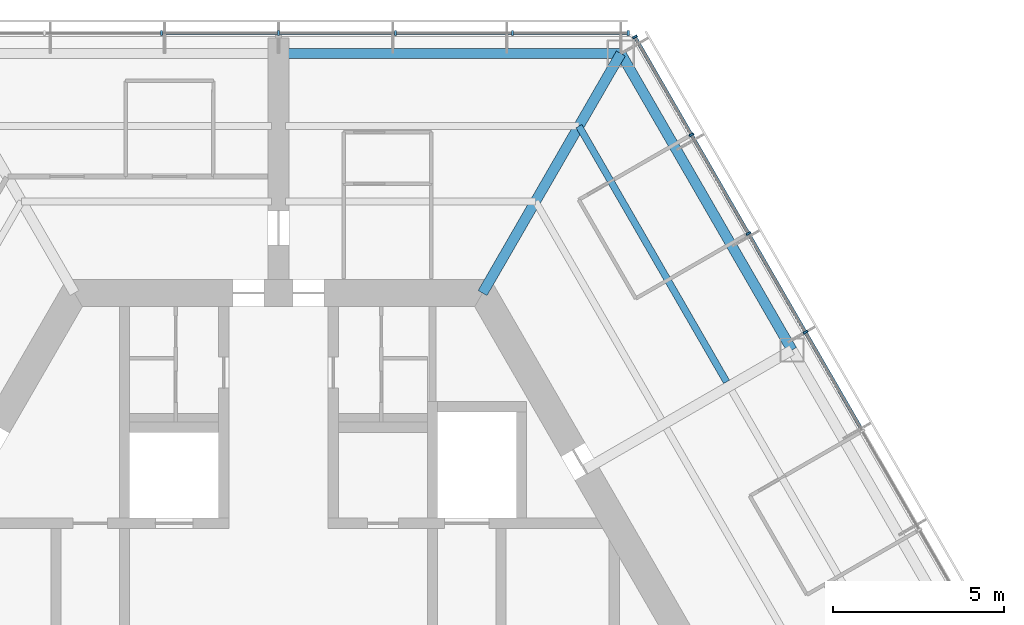
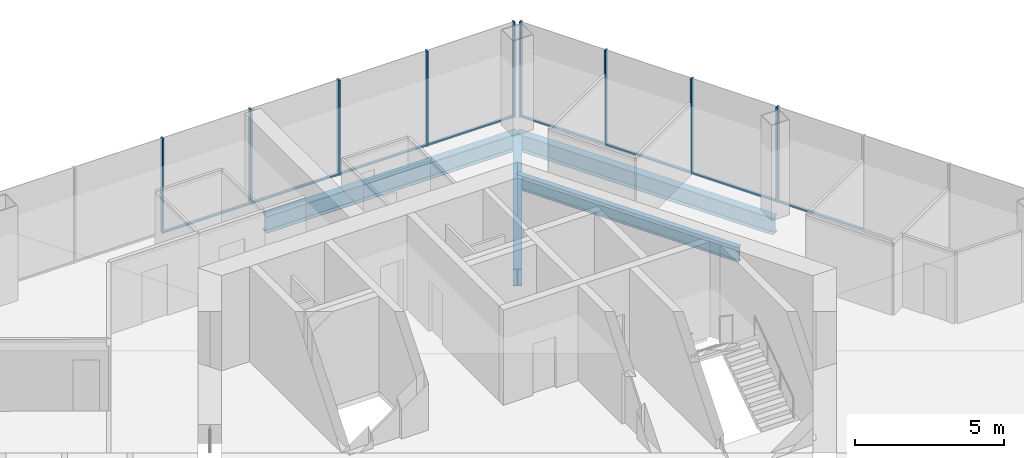
# One storey, part 7 of 16: 17 members, 4 beams, 2 elements without a shape of their own.
"""IFC4 building model written with IfcOpenShell, lengths in metres."""

from ifc_helpers import new_model, si_unit, direction, frame, origin, origin_2d, place, context, subcontext, project, spatial, rectangle, i_section, extrude, material, material_profile, profile_set, type_object, element, aggregate, save


model = new_model("IFC4")

# Units and contexts
model_context = context("Model", 3, precision=1e-05, world=origin(), true_north=direction((0.0, 1.0)))
body_context = subcontext(model_context, "Body", "Model", "MODEL_VIEW")
ifc_project = project(units=[si_unit("LENGTHUNIT", "METRE"), si_unit("AREAUNIT", "SQUARE_METRE"), si_unit("VOLUMEUNIT", "CUBIC_METRE"), si_unit("PLANEANGLEUNIT", "RADIAN"), si_unit("MASSUNIT", "GRAM", prefix="KILO")], contexts=[model_context])

# Site, building, storey
site_placement = place(None, origin())
site = spatial("IfcSite", under=ifc_project, at=site_placement, CompositionType="ELEMENT")
building_placement = place(site_placement, origin())
building = spatial("IfcBuilding", under=site, at=building_placement, Name="Kasaneha Research Tower", CompositionType="ELEMENT")
storey_placement = place(building_placement, frame((0.0, 0.0, 247.89990234375)))
storey = spatial("IfcBuildingStorey", under=building, at=storey_placement, Name="L62", CompositionType="ELEMENT", Elevation=247.89990234375)

# Beam
ifc_material_1 = material(Name="Steel SN490B", Category="steel")
ifc_material_profile_1 = material_profile(ifc_material_1, i_section(OverallWidth=0.199951171875, OverallDepth=0.60009765625, WebThickness=0.010986328125, FlangeThickness=0.01708984375, FilletRadius=0.012939453125, at=origin_2d()), Name="H-600x200x11x17")
ifc_profile_set_1 = profile_set([ifc_material_profile_1], Name="Steel SN490B")
beam_type_1 = type_object("IfcBeamType", Name="B1-3 secondary beam H-600x200x11x17", PredefinedType="JOIST", material=ifc_profile_set_1)
beam_1_placement = place(storey_placement, frame((8.775634765625, 15.199951171875, -0.449951171875), z_axis=(0.500017275495, -0.866015429543, 0.0), x_axis=(0.866015429543, 0.500017275495, 0.0)))
element("IfcBeam", 1, at=beam_1_placement, inside=storey, type_object=beam_type_1, Name="Secondary beam RS030R2 L62", PredefinedType="JOIST", context=body_context, shape_type="SweptSolid", body=[
    extrude(i_section(OverallWidth=0.199951171875, OverallDepth=0.60009765625, WebThickness=0.010986328125, FlangeThickness=0.01708984375, FilletRadius=0.012939453125, at=origin_2d()), origin(), (0.0, 0.0, 1.0), 8.625732421875),
])

# Curtain wall, members
ifc_material_2 = material(Name="Glass and aluminium", Category="aluminium")
curtain_wall_type = type_object("IfcCurtainWallType", Name="High-rise office curtain wall", PredefinedType="USERDEFINED", material=ifc_material_2)
curtain_wall_1_placement = place(storey_placement, origin())
curtain_wall_1 = element("IfcCurtainWall", 2, at=curtain_wall_1_placement, inside=storey, type_object=curtain_wall_type, Name="CW-O3 L62 run 01a", ObjectType="UNITISED CURTAIN WALL", PredefinedType="USERDEFINED")
ifc_material_3 = material(Name="Aluminium 6063-T6", Category="aluminium")
ifc_material_profile_2 = material_profile(ifc_material_3, rectangle(XDim=0.06005859375, YDim=0.139892578125, at=origin_2d()), Name="CW-O3 mullion 60x140")
ifc_profile_set_2 = profile_set([ifc_material_profile_2], Name="Aluminium 6063-T6")
member_type_1 = type_object("IfcMemberType", Name="CW-O3 mullion", PredefinedType="MULLION", material=ifc_profile_set_2)
member_1_placement = place(storey_placement, frame((15.392822265625, 9.179931640625, 0.0), z_axis=(0.0, 0.0, 1.0), x_axis=(-0.499999979232, 0.866025415775, 0.0)))
member_1 = element("IfcMember", 3, at=member_1_placement, type_object=member_type_1, Name="CW-O3 mullion 4", PredefinedType="MULLION", context=body_context, shape_type="SweptSolid", body=[
    extrude(rectangle(XDim=0.06005859375, YDim=0.139892578125, at=origin_2d()), origin(), (0.0, 0.0, 1.0), 3.900146484375),
])
member_2_placement = place(storey_placement, frame((13.727294921875, 12.064453125, 0.0), z_axis=(0.0, 0.0, 1.0), x_axis=(-0.499999979232, 0.866025415775, 0.0)))
member_2 = element("IfcMember", 4, at=member_2_placement, type_object=member_type_1, Name="CW-O3 mullion 5", PredefinedType="MULLION", context=body_context, shape_type="SweptSolid", body=[
    extrude(rectangle(XDim=0.06005859375, YDim=0.139892578125, at=origin_2d()), origin(), (0.0, 0.0, 1.0), 3.900146484375),
])
member_3_placement = place(storey_placement, frame((12.061767578125, 14.94921875, 0.0), z_axis=(0.0, 0.0, 1.0), x_axis=(-0.499999979232, 0.866025415775, 0.0)))
member_3 = element("IfcMember", 5, at=member_3_placement, type_object=member_type_1, Name="CW-O3 mullion 6", PredefinedType="MULLION", context=body_context, shape_type="SweptSolid", body=[
    extrude(rectangle(XDim=0.06005859375, YDim=0.139892578125, at=origin_2d()), origin(), (0.0, 0.0, 1.0), 3.900146484375),
])
member_4_placement = place(storey_placement, frame((10.411376953125, 17.807861328125, 0.0), z_axis=(0.0, 0.0, 1.0), x_axis=(-0.499999979232, 0.866025415775, 0.0)))
member_4 = element("IfcMember", 6, at=member_4_placement, type_object=member_type_1, Name="CW-O3 mullion 7", PredefinedType="MULLION", context=body_context, shape_type="SweptSolid", body=[
    extrude(rectangle(XDim=0.06005859375, YDim=0.139892578125, at=origin_2d()), origin(), (0.0, 0.0, 1.0), 3.900146484375),
])

curtain_wall_2_placement = place(storey_placement, origin())
curtain_wall_2 = element("IfcCurtainWall", 7, at=curtain_wall_2_placement, inside=storey, type_object=curtain_wall_type, Name="CW-O3 L62 run 02a", ObjectType="UNITISED CURTAIN WALL", PredefinedType="USERDEFINED")
member_5_placement = place(storey_placement, frame((10.21630859375, 17.92041015625, 0.0), z_axis=(0.0, 0.0, 1.0), x_axis=(-1.0, 0.0, 0.0)))
member_5 = element("IfcMember", 8, at=member_5_placement, type_object=member_type_1, Name="CW-O3 mullion 1", PredefinedType="MULLION", context=body_context, shape_type="SweptSolid", body=[
    extrude(rectangle(XDim=0.06005859375, YDim=0.139892578125, at=origin_2d()), origin(), (0.0, 0.0, 1.0), 3.900146484375),
])
member_6_placement = place(storey_placement, frame((6.8310546875, 17.92041015625, 0.0), z_axis=(0.0, 0.0, 1.0), x_axis=(-1.0, 0.0, 0.0)))
member_6 = element("IfcMember", 9, at=member_6_placement, type_object=member_type_1, Name="CW-O3 mullion 2", PredefinedType="MULLION", context=body_context, shape_type="SweptSolid", body=[
    extrude(rectangle(XDim=0.06005859375, YDim=0.139892578125, at=origin_2d()), origin(), (0.0, 0.0, 1.0), 3.900146484375),
])
member_7_placement = place(storey_placement, frame((3.41552734375, 17.92041015625, 0.0), z_axis=(0.0, 0.0, 1.0), x_axis=(-1.0, 0.0, 0.0)))
member_7 = element("IfcMember", 10, at=member_7_placement, type_object=member_type_1, Name="CW-O3 mullion 3", PredefinedType="MULLION", context=body_context, shape_type="SweptSolid", body=[
    extrude(rectangle(XDim=0.06005859375, YDim=0.139892578125, at=origin_2d()), origin(), (0.0, 0.0, 1.0), 3.900146484375),
])
member_8_placement = place(storey_placement, frame((0.0, 17.92041015625, 0.0), z_axis=(0.0, 0.0, 1.0), x_axis=(-1.0, 0.0, 0.0)))
member_8 = element("IfcMember", 11, at=member_8_placement, type_object=member_type_1, Name="CW-O3 mullion 4", PredefinedType="MULLION", context=body_context, shape_type="SweptSolid", body=[
    extrude(rectangle(XDim=0.06005859375, YDim=0.139892578125, at=origin_2d()), origin(), (0.0, 0.0, 1.0), 3.900146484375),
])
member_9_placement = place(storey_placement, frame((-3.41552734375, 17.92041015625, 0.0), z_axis=(0.0, 0.0, 1.0), x_axis=(-1.0, 0.0, 0.0)))
member_9 = element("IfcMember", 12, at=member_9_placement, type_object=member_type_1, Name="CW-O3 mullion 5", PredefinedType="MULLION", context=body_context, shape_type="SweptSolid", body=[
    extrude(rectangle(XDim=0.06005859375, YDim=0.139892578125, at=origin_2d()), origin(), (0.0, 0.0, 1.0), 3.900146484375),
])

# Member
ifc_material_4 = material(Name="Aluminium 6063-T6", Category="aluminium")
ifc_material_profile_3 = material_profile(ifc_material_4, rectangle(XDim=0.10009765625, YDim=0.06005859375, at=origin_2d()), Name="CW-O3 transom 100x60")
ifc_profile_set_3 = profile_set([ifc_material_profile_3], Name="Aluminium 6063-T6")
member_type_2 = type_object("IfcMemberType", Name="CW-O3 transom", PredefinedType="USERDEFINED", material=ifc_profile_set_3)
member_10_placement = place(storey_placement, frame((17.043212890625, 6.3212890625, 0.030029296875), z_axis=(-0.50003259116, 0.866006586452, 0.0), x_axis=(-0.866006586452, -0.50003259116, 0.0)))
member_10 = element("IfcMember", 13, at=member_10_placement, type_object=member_type_2, Name="CW-O3 transom 3", ObjectType="TRANSOM", PredefinedType="USERDEFINED", context=body_context, shape_type="SweptSolid", body=[
    extrude(rectangle(XDim=0.10009765625, YDim=0.06005859375, at=origin_2d()), origin(), (0.0, 0.0, 1.0), 3.270751953125),
])

member_11_placement = place(storey_placement, frame((15.3779296875, 9.205810546875, 0.030029296875), z_axis=(-0.500000270186, 0.866025247793, 0.0), x_axis=(-0.866025247793, -0.500000270186, 0.0)))
member_11 = element("IfcMember", 14, at=member_11_placement, type_object=member_type_2, Name="CW-O3 transom 4", ObjectType="TRANSOM", PredefinedType="USERDEFINED", context=body_context, shape_type="SweptSolid", body=[
    extrude(rectangle(XDim=0.10009765625, YDim=0.06005859375, at=origin_2d()), origin(), (0.0, 0.0, 1.0), 3.27099609375),
])

member_12_placement = place(storey_placement, frame((13.71240234375, 12.090576171875, 0.030029296875), z_axis=(-0.500000270186, 0.866025247793, 0.0), x_axis=(-0.866025247793, -0.500000270186, 0.0)))
member_12 = element("IfcMember", 15, at=member_12_placement, type_object=member_type_2, Name="CW-O3 transom 5", ObjectType="TRANSOM", PredefinedType="USERDEFINED", context=body_context, shape_type="SweptSolid", body=[
    extrude(rectangle(XDim=0.10009765625, YDim=0.06005859375, at=origin_2d()), origin(), (0.0, 0.0, 1.0), 3.27099609375),
])

member_13_placement = place(storey_placement, frame((12.046875, 14.97509765625, 0.030029296875), z_axis=(-0.499955025697, 0.866051368154, 0.0), x_axis=(-0.866051368154, -0.499955025697, 0.0)))
member_13 = element("IfcMember", 16, at=member_13_placement, type_object=member_type_2, Name="CW-O3 transom 6", ObjectType="TRANSOM", PredefinedType="USERDEFINED", context=body_context, shape_type="SweptSolid", body=[
    extrude(rectangle(XDim=0.10009765625, YDim=0.06005859375, at=origin_2d()), origin(), (0.0, 0.0, 1.0), 3.240966796875),
])

aggregate(curtain_wall_1, [member_1, member_2, member_3, member_4, member_10, member_11, member_12, member_13])

member_14_placement = place(storey_placement, frame((10.1865234375, 17.92041015625, 0.030029296875), z_axis=(-1.0, 0.0, 0.0), x_axis=(0.0, -1.0, 0.0)))
member_14 = element("IfcMember", 17, at=member_14_placement, type_object=member_type_2, Name="CW-O3 transom 1", ObjectType="TRANSOM", PredefinedType="USERDEFINED", context=body_context, shape_type="SweptSolid", body=[
    extrude(rectangle(XDim=0.10009765625, YDim=0.06005859375, at=origin_2d()), origin(), (0.0, 0.0, 1.0), 3.32568359375),
])

member_15_placement = place(storey_placement, frame((6.801025390625, 17.92041015625, 0.030029296875), z_axis=(-1.0, 0.0, 0.0), x_axis=(0.0, -1.0, 0.0)))
member_15 = element("IfcMember", 18, at=member_15_placement, type_object=member_type_2, Name="CW-O3 transom 2", ObjectType="TRANSOM", PredefinedType="USERDEFINED", context=body_context, shape_type="SweptSolid", body=[
    extrude(rectangle(XDim=0.10009765625, YDim=0.06005859375, at=origin_2d()), origin(), (0.0, 0.0, 1.0), 3.35546875),
])

member_16_placement = place(storey_placement, frame((3.385498046875, 17.92041015625, 0.030029296875), z_axis=(-1.0, 0.0, 0.0), x_axis=(0.0, -1.0, 0.0)))
member_16 = element("IfcMember", 19, at=member_16_placement, type_object=member_type_2, Name="CW-O3 transom 3", ObjectType="TRANSOM", PredefinedType="USERDEFINED", context=body_context, shape_type="SweptSolid", body=[
    extrude(rectangle(XDim=0.10009765625, YDim=0.06005859375, at=origin_2d()), origin(), (0.0, 0.0, 1.0), 3.35546875),
])

member_17_placement = place(storey_placement, frame((-0.030029296875, 17.92041015625, 0.030029296875), z_axis=(-1.0, 0.0, 0.0), x_axis=(0.0, -1.0, 0.0)))
member_17 = element("IfcMember", 20, at=member_17_placement, type_object=member_type_2, Name="CW-O3 transom 4", ObjectType="TRANSOM", PredefinedType="USERDEFINED", context=body_context, shape_type="SweptSolid", body=[
    extrude(rectangle(XDim=0.10009765625, YDim=0.06005859375, at=origin_2d()), origin(), (0.0, 0.0, 1.0), 3.35546875),
])

aggregate(curtain_wall_2, [member_5, member_6, member_7, member_8, member_9, member_14, member_15, member_16, member_17])

# Beams
ifc_material_5 = material(Name="Steel SN490B", Category="steel")
ifc_material_profile_4 = material_profile(ifc_material_5, i_section(OverallWidth=0.300048828125, OverallDepth=0.699951171875, WebThickness=0.012939453125, FlangeThickness=0.02392578125, FilletRadius=0.01806640625, at=origin_2d()), Name="H-700x300x13x24")
ifc_profile_set_4 = profile_set([ifc_material_profile_4], Name="Steel SN490B")
beam_type_2 = type_object("IfcBeamType", Name="G1-3 radial girder H-700x300x13x24", PredefinedType="BEAM", material=ifc_profile_set_4)
beam_2_placement = place(storey_placement, frame((5.961181640625, 10.324951171875, -0.5), z_axis=(0.49999105496, 0.866030568144, 0.0), x_axis=(-0.866030568144, 0.49999105496, 0.0)))
element("IfcBeam", 21, at=beam_2_placement, inside=storey, type_object=beam_type_2, Name="Radial girder RV060 L62", PredefinedType="BEAM", context=body_context, shape_type="SweptSolid", body=[
    extrude(i_section(OverallWidth=0.300048828125, OverallDepth=0.699951171875, WebThickness=0.012939453125, FlangeThickness=0.02392578125, FilletRadius=0.01806640625, at=origin_2d()), origin(), (0.0, 0.0, 1.0), 8.077880859375),
])
ifc_material_6 = material(Name="Steel SN490B", Category="steel")
ifc_material_profile_5 = material_profile(ifc_material_6, i_section(OverallWidth=0.300048828125, OverallDepth=0.69189453125, WebThickness=0.012939453125, FlangeThickness=0.02001953125, FilletRadius=0.01806640625, at=origin_2d()), Name="H-692x300x13x20")
ifc_profile_set_5 = profile_set([ifc_material_profile_5], Name="Steel SN490B")
beam_type_3 = type_object("IfcBeamType", Name="G3-3 plate edge girder H-692x300x13x20", PredefinedType="BEAM", material=ifc_profile_set_5)
beam_3_placement = place(storey_placement, frame((10.0, 17.320556640625, -0.495849609375), z_axis=(-1.0, 0.0, 0.0), x_axis=(0.0, -1.0, 0.0)))
element("IfcBeam", 22, at=beam_3_placement, inside=storey, type_object=beam_type_3, Name="Plate edge girder PEAP L62", PredefinedType="BEAM", context=body_context, shape_type="SweptSolid", body=[
    extrude(i_section(OverallWidth=0.300048828125, OverallDepth=0.69189453125, WebThickness=0.012939453125, FlangeThickness=0.02001953125, FilletRadius=0.01806640625, at=origin_2d()), origin(), (0.0, 0.0, 1.0), 9.800048828125),
])
ifc_material_7 = material(Name="Steel SN490B", Category="steel")
ifc_material_profile_6 = material_profile(ifc_material_7, i_section(OverallWidth=0.300048828125, OverallDepth=0.69189453125, WebThickness=0.012939453125, FlangeThickness=0.02001953125, FilletRadius=0.01806640625, at=origin_2d()), Name="H-692x300x13x20")
ifc_profile_set_6 = profile_set([ifc_material_profile_6], Name="Steel SN490B")
beam_type_4 = type_object("IfcBeamType", Name="SB1-3 spandrel beam H-692x300x13x20", PredefinedType="SPANDREL", material=ifc_profile_set_6)
beam_4_placement = place(storey_placement, frame((10.0, 17.320556640625, -0.495849609375), z_axis=(0.499993662806, -0.866029062534, 0.0), x_axis=(0.866029062534, 0.499993662806, 0.0)))
element("IfcBeam", 23, at=beam_4_placement, inside=storey, type_object=beam_type_4, Name="Spandrel beam SR030R L62", PredefinedType="SPANDREL", context=body_context, shape_type="SweptSolid", body=[
    extrude(i_section(OverallWidth=0.300048828125, OverallDepth=0.69189453125, WebThickness=0.012939453125, FlangeThickness=0.02001953125, FilletRadius=0.01806640625, at=origin_2d()), origin(), (0.0, 0.0, 1.0), 10.000244140625),
])

save(model, "model.ifc")
